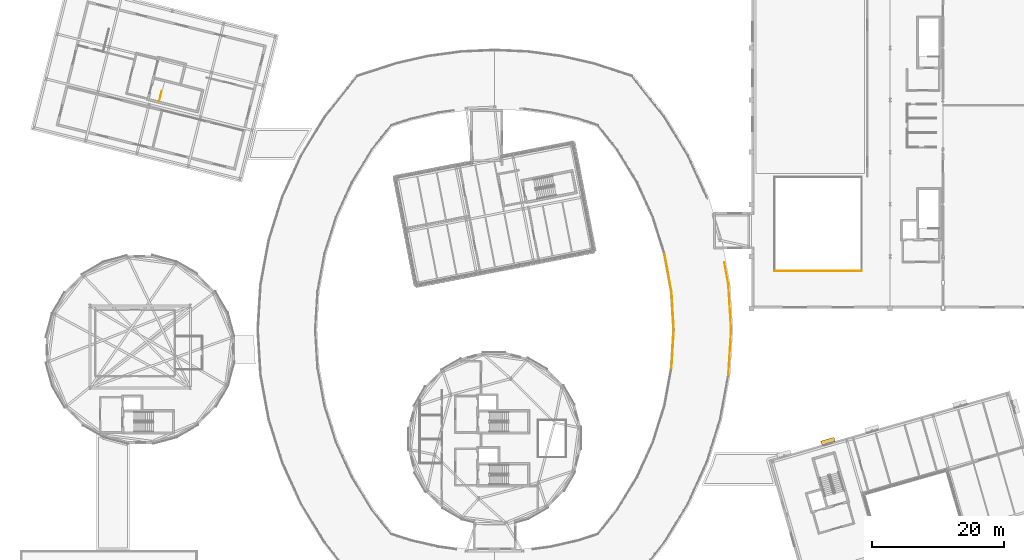
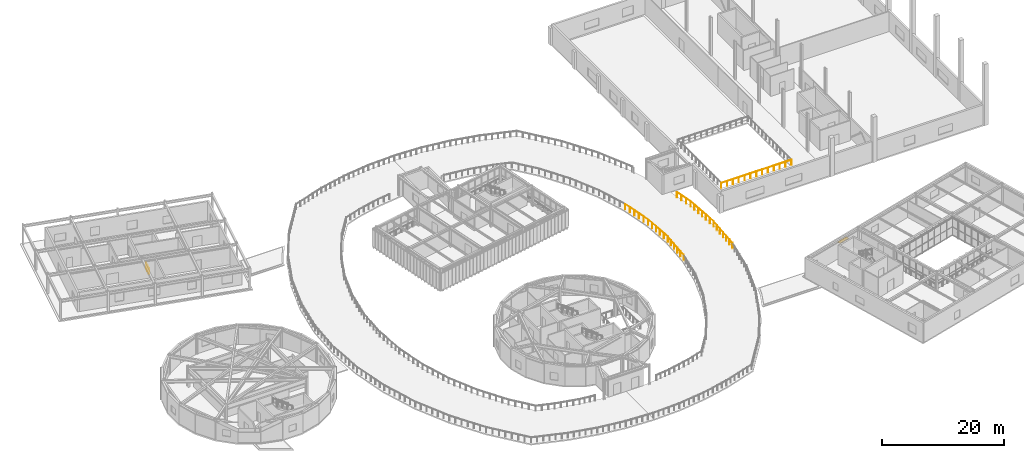
# One storey, part 53 of 59: 8 railings, 1 shading device.
"""IFC4 building model written with IfcOpenShell, lengths in metres."""

from ifc_helpers import new_model, si_unit, direction, frame, origin, origin_2d, place, context, subcontext, project, spatial, rectangle, circle, extrude, material, layer, layer_set, type_object, element, save


model = new_model("IFC4")

# Units and contexts
model_context = context("Model", 3, precision=1e-05, world=origin(), true_north=direction((0.0, 1.0)))
body_context = subcontext(model_context, "Body", "Model", "MODEL_VIEW")
ifc_project = project(units=[si_unit("LENGTHUNIT", "METRE"), si_unit("AREAUNIT", "SQUARE_METRE"), si_unit("VOLUMEUNIT", "CUBIC_METRE"), si_unit("PLANEANGLEUNIT", "RADIAN"), si_unit("MASSUNIT", "GRAM", prefix="KILO")], contexts=[model_context])

# Site, building, storey
site_placement = place(None, origin())
site = spatial("IfcSite", under=ifc_project, at=site_placement, CompositionType="ELEMENT")
building_placement = place(site_placement, origin())
building = spatial("IfcBuilding", under=site, at=building_placement, Name="Varnklinge Art Gallery", CompositionType="ELEMENT")
storey_placement = place(building_placement, frame((0.0, 0.0, 9.52001953125)))
storey = spatial("IfcBuildingStorey", under=building, at=storey_placement, Name="L02", CompositionType="ELEMENT", Elevation=9.52001953125)

# Railings
ifc_material_1 = material(Name="Anodised Aluminium", Category="aluminium")
railing_type_1 = type_object("IfcRailingType", Name="BAL-01", PredefinedType="BALUSTRADE", material=ifc_material_1)
railing_1_placement = place(storey_placement, frame((117.8798828125, 63.8798828125, 0.0)))
element("IfcRailing", 1, at=railing_1_placement, inside=storey, type_object=railing_type_1, Name="L02 Atrium Void Balustrade 3.4", PredefinedType="BALUSTRADE", context=body_context, shape_type="SweptSolid", body=[
    extrude(circle(Radius=0.02392578125, at=origin_2d()), frame((0.0, 0.0, 1.11572265625), z_axis=(1.0, 0.0, 0.0), x_axis=(0.0, 1.0, 0.0)), (0.0, 0.0, 1.0), 13.240234375),
    extrude(circle(Radius=0.02099609375, at=origin_2d()), origin(), (0.0, 0.0, 1.0), 1.091796875),
    extrude(circle(Radius=0.02099609375, at=origin_2d()), frame((1.103271484375, 0.0, 0.0)), (0.0, 0.0, 1.0), 1.091796875),
    extrude(circle(Radius=0.02099609375, at=origin_2d()), frame((2.206787109375, 0.0, 0.0)), (0.0, 0.0, 1.0), 1.091796875),
    extrude(circle(Radius=0.02099609375, at=origin_2d()), frame((3.31005859375, 0.0, 0.0)), (0.0, 0.0, 1.0), 1.091796875),
    extrude(circle(Radius=0.02099609375, at=origin_2d()), frame((4.413330078125, 0.0, 0.0)), (0.0, 0.0, 1.0), 1.091796875),
    extrude(circle(Radius=0.02099609375, at=origin_2d()), frame((5.516845703125, 0.0, 0.0)), (0.0, 0.0, 1.0), 1.091796875),
    extrude(circle(Radius=0.02099609375, at=origin_2d()), frame((6.6201171875, 0.0, 0.0)), (0.0, 0.0, 1.0), 1.091796875),
    extrude(circle(Radius=0.02099609375, at=origin_2d()), frame((7.723388671875, 0.0, 0.0)), (0.0, 0.0, 1.0), 1.091796875),
    extrude(circle(Radius=0.02099609375, at=origin_2d()), frame((8.826904296875, 0.0, 0.0)), (0.0, 0.0, 1.0), 1.091796875),
    extrude(circle(Radius=0.02099609375, at=origin_2d()), frame((9.93017578125, 0.0, 0.0)), (0.0, 0.0, 1.0), 1.091796875),
    extrude(circle(Radius=0.02099609375, at=origin_2d()), frame((11.033447265625, 0.0, 0.0)), (0.0, 0.0, 1.0), 1.091796875),
    extrude(circle(Radius=0.02099609375, at=origin_2d()), frame((12.136962890625, 0.0, 0.0)), (0.0, 0.0, 1.0), 1.091796875),
    extrude(circle(Radius=0.02099609375, at=origin_2d()), frame((13.240234375, 0.0, 0.0)), (0.0, 0.0, 1.0), 1.091796875),
])
ifc_material_2 = material(Name="Steel S355", Category="steel")
railing_type_2 = type_object("IfcRailingType", Name="GR-EXT", PredefinedType="GUARDRAIL", material=ifc_material_2)
railing_2_placement = place(storey_placement, frame((110.914794921875, 48.15771484375, 0.0)))
element("IfcRailing", 2, at=railing_2_placement, inside=storey, type_object=railing_type_2, Name="L02 Roof Sculpture Garden Guardrail O06.1", PredefinedType="GUARDRAIL", context=body_context, shape_type="SweptSolid", body=[
    extrude(circle(Radius=0.02392578125, at=origin_2d()), frame((0.0, 0.0, 1.1259765625), z_axis=(0.060866032213, 0.9981459443, 0.0), x_axis=(-0.9981459443, 0.060866032213, 0.0)), (0.0, 0.0, 1.0), 6.85498046875),
    extrude(circle(Radius=0.02099609375, at=origin_2d()), origin(), (0.0, 0.0, 1.0), 1.101806640625),
    extrude(circle(Radius=0.02099609375, at=origin_2d()), frame((0.069580078125, 1.140380859375, 0.0)), (0.0, 0.0, 1.0), 1.101806640625),
    extrude(circle(Radius=0.02099609375, at=origin_2d()), frame((0.13916015625, 2.28076171875, 0.0)), (0.0, 0.0, 1.0), 1.101806640625),
    extrude(circle(Radius=0.02099609375, at=origin_2d()), frame((0.20849609375, 3.421142578125, 0.0)), (0.0, 0.0, 1.0), 1.101806640625),
    extrude(circle(Radius=0.02099609375, at=origin_2d()), frame((0.278076171875, 4.5615234375, 0.0)), (0.0, 0.0, 1.0), 1.101806640625),
    extrude(circle(Radius=0.02099609375, at=origin_2d()), frame((0.34765625, 5.701904296875, 0.0)), (0.0, 0.0, 1.0), 1.101806640625),
    extrude(circle(Radius=0.02099609375, at=origin_2d()), frame((0.417236328125, 6.84228515625, 0.0)), (0.0, 0.0, 1.0), 1.101806640625),
])
railing_3_placement = place(storey_placement, frame((102.315185546875, 49.2099609375, 0.0)))
element("IfcRailing", 3, at=railing_3_placement, inside=storey, type_object=railing_type_2, Name="L02 Roof Sculpture Garden Guardrail I06.1", PredefinedType="GUARDRAIL", context=body_context, shape_type="SweptSolid", body=[
    extrude(circle(Radius=0.02392578125, at=origin_2d()), frame((0.0, 0.0, 1.1259765625), z_axis=(0.060816547818, 0.998148960582, 0.0), x_axis=(-0.998148960582, 0.060816547818, 0.0)), (0.0, 0.0, 1.0), 5.80078125),
    extrude(circle(Radius=0.02099609375, at=origin_2d()), origin(), (0.0, 0.0, 1.0), 1.101806640625),
    extrude(circle(Radius=0.02099609375, at=origin_2d()), frame((0.070556640625, 1.157958984375, 0.0)), (0.0, 0.0, 1.0), 1.101806640625),
    extrude(circle(Radius=0.02099609375, at=origin_2d()), frame((0.14111328125, 2.31591796875, 0.0)), (0.0, 0.0, 1.0), 1.101806640625),
    extrude(circle(Radius=0.02099609375, at=origin_2d()), frame((0.211669921875, 3.47412109375, 0.0)), (0.0, 0.0, 1.0), 1.101806640625),
    extrude(circle(Radius=0.02099609375, at=origin_2d()), frame((0.2822265625, 4.632080078125, 0.0)), (0.0, 0.0, 1.0), 1.101806640625),
    extrude(circle(Radius=0.02099609375, at=origin_2d()), frame((0.352783203125, 5.7900390625, 0.0)), (0.0, 0.0, 1.0), 1.101806640625),
])
railing_4_placement = place(storey_placement, frame((111.33203125, 55.0, 0.0)))
element("IfcRailing", 4, at=railing_4_placement, inside=storey, type_object=railing_type_2, Name="L02 Roof Sculpture Garden Guardrail O07.1", PredefinedType="GUARDRAIL", context=body_context, shape_type="SweptSolid", body=[
    extrude(circle(Radius=0.02392578125, at=origin_2d()), frame((0.0, 0.0, 1.1259765625), z_axis=(-0.060866032213, 0.9981459443, 0.0), x_axis=(-0.9981459443, -0.060866032213, 0.0)), (0.0, 0.0, 1.0), 6.85498046875),
    extrude(circle(Radius=0.02099609375, at=origin_2d()), origin(), (0.0, 0.0, 1.0), 1.101806640625),
    extrude(circle(Radius=0.02099609375, at=origin_2d()), frame((-0.069580078125, 1.140380859375, 0.0)), (0.0, 0.0, 1.0), 1.101806640625),
    extrude(circle(Radius=0.02099609375, at=origin_2d()), frame((-0.13916015625, 2.28076171875, 0.0)), (0.0, 0.0, 1.0), 1.101806640625),
    extrude(circle(Radius=0.02099609375, at=origin_2d()), frame((-0.20849609375, 3.421142578125, 0.0)), (0.0, 0.0, 1.0), 1.101806640625),
    extrude(circle(Radius=0.02099609375, at=origin_2d()), frame((-0.278076171875, 4.5615234375, 0.0)), (0.0, 0.0, 1.0), 1.101806640625),
    extrude(circle(Radius=0.02099609375, at=origin_2d()), frame((-0.34765625, 5.701904296875, 0.0)), (0.0, 0.0, 1.0), 1.101806640625),
    extrude(circle(Radius=0.02099609375, at=origin_2d()), frame((-0.417236328125, 6.84228515625, 0.0)), (0.0, 0.0, 1.0), 1.101806640625),
])
railing_5_placement = place(storey_placement, frame((102.66796875, 55.0, 0.0)))
element("IfcRailing", 5, at=railing_5_placement, inside=storey, type_object=railing_type_2, Name="L02 Roof Sculpture Garden Guardrail I07.1", PredefinedType="GUARDRAIL", context=body_context, shape_type="SweptSolid", body=[
    extrude(circle(Radius=0.02392578125, at=origin_2d()), frame((0.0, 0.0, 1.1259765625), z_axis=(-0.060816547818, 0.998148960582, 0.0), x_axis=(-0.998148960582, -0.060816547818, 0.0)), (0.0, 0.0, 1.0), 5.80078125),
    extrude(circle(Radius=0.02099609375, at=origin_2d()), origin(), (0.0, 0.0, 1.0), 1.101806640625),
    extrude(circle(Radius=0.02099609375, at=origin_2d()), frame((-0.070556640625, 1.157958984375, 0.0)), (0.0, 0.0, 1.0), 1.101806640625),
    extrude(circle(Radius=0.02099609375, at=origin_2d()), frame((-0.14111328125, 2.31591796875, 0.0)), (0.0, 0.0, 1.0), 1.101806640625),
    extrude(circle(Radius=0.02099609375, at=origin_2d()), frame((-0.211669921875, 3.47412109375, 0.0)), (0.0, 0.0, 1.0), 1.101806640625),
    extrude(circle(Radius=0.02099609375, at=origin_2d()), frame((-0.2822265625, 4.632080078125, 0.0)), (0.0, 0.0, 1.0), 1.101806640625),
    extrude(circle(Radius=0.02099609375, at=origin_2d()), frame((-0.352783203125, 5.7900390625, 0.0)), (0.0, 0.0, 1.0), 1.101806640625),
])
railing_6_placement = place(storey_placement, frame((110.914794921875, 61.84228515625, 0.0)))
element("IfcRailing", 6, at=railing_6_placement, inside=storey, type_object=railing_type_2, Name="L02 Roof Sculpture Garden Guardrail O08.1", PredefinedType="GUARDRAIL", context=body_context, shape_type="SweptSolid", body=[
    extrude(circle(Radius=0.02392578125, at=origin_2d()), frame((0.0, 0.0, 1.1259765625), z_axis=(-0.181615560758, 0.983369609095, 0.0), x_axis=(-0.983369609095, -0.181615560758, 0.0)), (0.0, 0.0, 1.0), 3.41455078125),
    extrude(circle(Radius=0.02099609375, at=origin_2d()), origin(), (0.0, 0.0, 1.0), 1.101806640625),
    extrude(circle(Radius=0.02099609375, at=origin_2d()), frame((-0.206787109375, 1.119140625, 0.0)), (0.0, 0.0, 1.0), 1.101806640625),
    extrude(circle(Radius=0.02099609375, at=origin_2d()), frame((-0.413330078125, 2.238525390625, 0.0)), (0.0, 0.0, 1.0), 1.101806640625),
    extrude(circle(Radius=0.02099609375, at=origin_2d()), frame((-0.6201171875, 3.357666015625, 0.0)), (0.0, 0.0, 1.0), 1.101806640625),
])
railing_7_placement = place(storey_placement, frame((102.315185546875, 60.7900390625, 0.0)))
element("IfcRailing", 7, at=railing_7_placement, inside=storey, type_object=railing_type_2, Name="L02 Roof Sculpture Garden Guardrail I08.1", PredefinedType="GUARDRAIL", context=body_context, shape_type="SweptSolid", body=[
    extrude(circle(Radius=0.02392578125, at=origin_2d()), frame((0.0, 0.0, 1.1259765625), z_axis=(-0.181647662815, 0.983363679721, 0.0), x_axis=(-0.983363679721, -0.181647662815, 0.0)), (0.0, 0.0, 1.0), 5.80078125),
    extrude(circle(Radius=0.02099609375, at=origin_2d()), origin(), (0.0, 0.0, 1.0), 1.101806640625),
    extrude(circle(Radius=0.02099609375, at=origin_2d()), frame((-0.210693359375, 1.140869140625, 0.0)), (0.0, 0.0, 1.0), 1.101806640625),
    extrude(circle(Radius=0.02099609375, at=origin_2d()), frame((-0.42138671875, 2.28173828125, 0.0)), (0.0, 0.0, 1.0), 1.101806640625),
    extrude(circle(Radius=0.02099609375, at=origin_2d()), frame((-0.63232421875, 3.422607421875, 0.0)), (0.0, 0.0, 1.0), 1.101806640625),
    extrude(circle(Radius=0.02099609375, at=origin_2d()), frame((-0.843017578125, 4.5634765625, 0.0)), (0.0, 0.0, 1.0), 1.101806640625),
    extrude(circle(Radius=0.02099609375, at=origin_2d()), frame((-1.0537109375, 5.704345703125, 0.0)), (0.0, 0.0, 1.0), 1.101806640625),
])
ifc_material_3 = material(Name="Steel S355", Category="steel")
railing_type_3 = type_object("IfcRailingType", Name="GR-INT", PredefinedType="GUARDRAIL", material=ifc_material_3)
railing_8_placement = place(storey_placement, frame((24.68798828125, 89.609130859375, 0.0)))
element("IfcRailing", 8, at=railing_8_placement, inside=storey, type_object=railing_type_3, Name="L02 ST-04 top well guard 1", PredefinedType="GUARDRAIL", context=body_context, shape_type="SweptSolid", body=[
    extrude(circle(Radius=0.02392578125, at=origin_2d()), frame((0.0, 0.0, 1.076171875), z_axis=(0.24200042576, 0.970276143132, 0.0), x_axis=(-0.970276143132, 0.24200042576, 0.0)), (0.0, 0.0, 1.0), 1.610107421875),
    extrude(circle(Radius=0.02099609375, at=origin_2d()), origin(), (0.0, 0.0, 1.0), 1.052001953125),
    extrude(circle(Radius=0.02099609375, at=origin_2d()), frame((0.19482421875, 0.78125, 0.0)), (0.0, 0.0, 1.0), 1.052001953125),
    extrude(circle(Radius=0.02099609375, at=origin_2d()), frame((0.3896484375, 1.562255859375, 0.0)), (0.0, 0.0, 1.0), 1.052001953125),
])

# Shading device
ifc_material_4 = material(Name="Anodised Aluminium", Category="aluminium")
ifc_layer = layer(ifc_material_4, 0.044921875)
ifc_layer_set = layer_set([ifc_layer], Name="Anodised Aluminium")
shading_device_type = type_object("IfcShadingDeviceType", Name="SHD-FIN", PredefinedType="JALOUSIE", material=ifc_layer_set)
shading_device_placement = place(storey_placement, frame((125.9931640625, 38.12646484375, 2.47509765625), z_axis=(0.0, 0.0, 1.0), x_axis=(0.961261695938, 0.275637355817, 0.0)))
element("IfcShadingDevice", 9, at=shading_device_placement, inside=storey, type_object=shading_device_type, Name="L02 Studio Solar Brise-Soleil Fin EW-V6-L02-02.2", PredefinedType="JALOUSIE", context=body_context, shape_type="SweptSolid", body=[
    extrude(rectangle(XDim=2.10009765625, YDim=0.6201171875, at=origin_2d()), origin(), (0.0, 0.0, 1.0), 0.050048828125),
])

save(model, "model.ifc")
